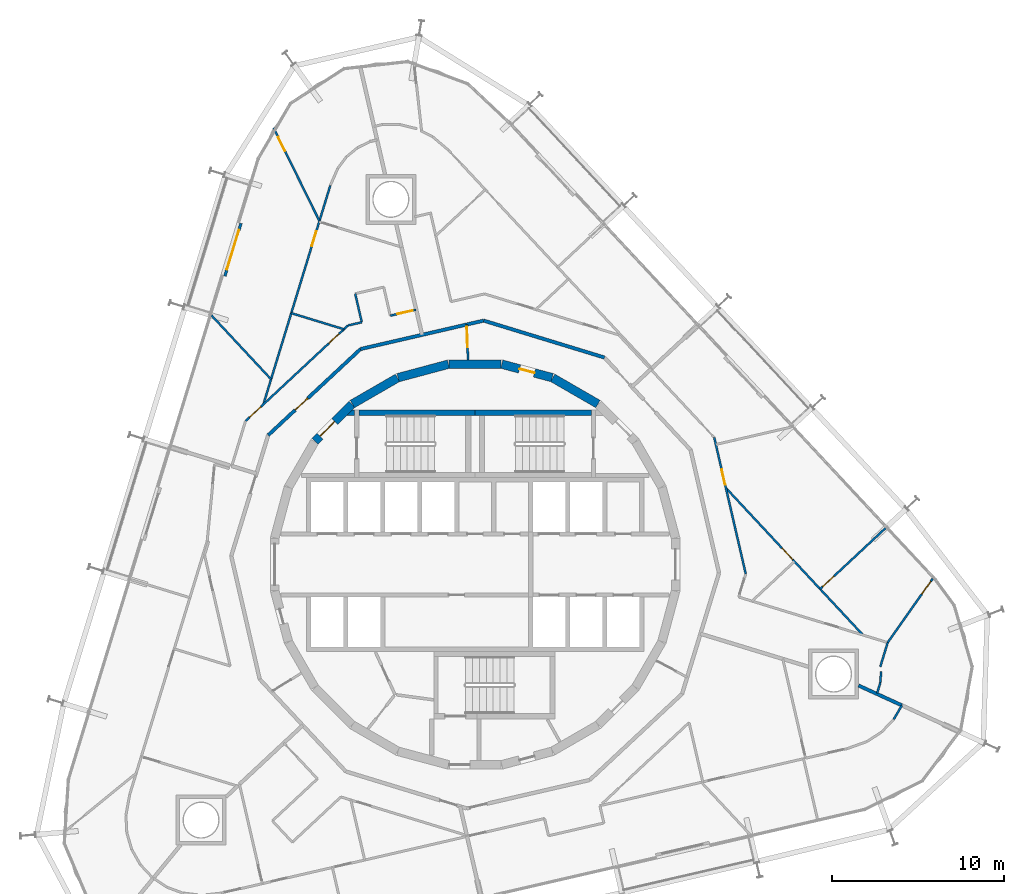
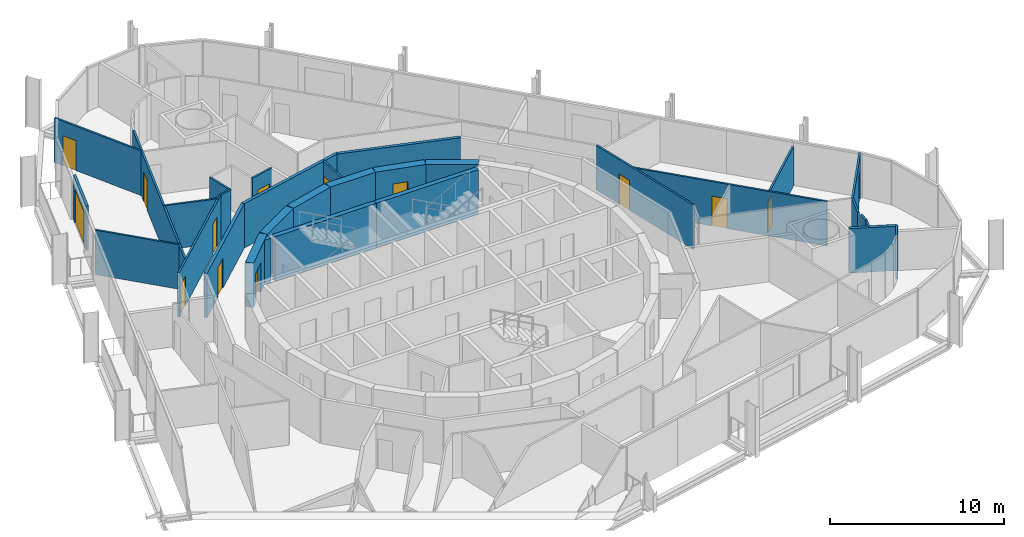
# One storey, part 15 of 18: 31 walls, 14 doors, 14 openings.
"""IFC4 building model written with IfcOpenShell, lengths in metres."""

from ifc_helpers import new_model, si_unit, direction, frame, frame_2d, origin, place, context, subcontext, project, spatial, polyline, rectangle, outline, extrude, material, layer, layer_set, type_object, element, fill, save


model = new_model("IFC4")

# Units and contexts
model_context = context("Model", 3, precision=1e-05, world=origin(), true_north=direction((0.0, 1.0)))
body_context = subcontext(model_context, "Body", "Model", "MODEL_VIEW")
ifc_project = project(units=[si_unit("LENGTHUNIT", "METRE"), si_unit("AREAUNIT", "SQUARE_METRE"), si_unit("VOLUMEUNIT", "CUBIC_METRE"), si_unit("PLANEANGLEUNIT", "RADIAN"), si_unit("MASSUNIT", "GRAM", prefix="KILO")], contexts=[model_context])

# Site, building, storey
site_placement = place(None, origin())
site = spatial("IfcSite", under=ifc_project, at=site_placement, CompositionType="ELEMENT")
building_placement = place(site_placement, origin())
building = spatial("IfcBuilding", under=site, at=building_placement, Name="Spindle Arch Residences", CompositionType="ELEMENT")
storey_placement = place(building_placement, frame((0.0, 0.0, 134.39990234375)))
storey = spatial("IfcBuildingStorey", under=building, at=storey_placement, Name="L33", CompositionType="ELEMENT", Elevation=134.39990234375)

# Wall
ifc_material_1 = material(Name="Concrete C50/60", Category="concrete")
ifc_layer_1 = layer(ifc_material_1, 0.5)
ifc_layer_set_1 = layer_set([ifc_layer_1], Name="Core outline wall 500")
wall_type_1 = type_object("IfcWallType", Name="Core outline wall 500", PredefinedType="SHEAR", material=ifc_layer_set_1)
wall_1_placement = place(storey_placement, frame((7.13671875, 9.32861328125, 0.0), z_axis=(0.0, 0.0, 1.0), x_axis=(-0.865975092491, 0.500087131594, 0.0)))
element("IfcWall", 1, at=wall_1_placement, inside=storey, type_object=wall_type_1, Name="Core outline wall 10", PredefinedType="SHEAR", context=body_context, shape_type="SweptSolid", body=[
    extrude(rectangle(XDim=3.03271484375, YDim=0.5, at=frame_2d((1.516357421875, 0.0))), origin(), (0.0, 0.0, 1.0), 3.1201171875),
])

# Wall, opening, door
wall_2_placement = place(storey_placement, frame((4.479248046875, 10.858154296875, 0.0), z_axis=(0.0, 0.0, 1.0), x_axis=(-0.965948410781, 0.258734743916, 0.0)))
wall_2 = element("IfcWall", 2, at=wall_2_placement, inside=storey, type_object=wall_type_1, Name="Core outline wall 11", PredefinedType="SHEAR", context=body_context, shape_type="SweptSolid", body=[
    extrude(rectangle(XDim=3.03271484375, YDim=0.5, at=frame_2d((1.516357421875, 0.0))), origin(), (0.0, 0.0, 1.0), 3.1201171875),
])
opening_1_placement = place(wall_2_placement, frame((1.066162109375, 0.0, 0.0)))
opening_1 = element("IfcOpeningElement", 3, at=opening_1_placement, cuts=wall_2, Name="Opening R3C0-WD10", PredefinedType="OPENING", context=body_context, shape_type="SweptSolid", body=[
    extrude(rectangle(XDim=0.89990234375, YDim=2.10009765625, at=frame_2d((0.449951171875, 1.050048828125))), frame((0.0, 0.260009765625, 0.0), z_axis=(0.0, -1.0, 0.0), x_axis=(1.0, 0.0, 0.0)), (0.0, 0.0, 1.0), 0.52001953125),
])
ifc_material_2 = material(Name="Steel, fire-resisting door", Category="steel")
door_type_1 = type_object("IfcDoorType", Name="Service room door 900x2100", OperationType="SINGLE_SWING_LEFT", PredefinedType="DOOR", material=ifc_material_2)
door_1_placement = place(opening_1_placement, origin())
door_1 = element("IfcDoor", 4, at=door_1_placement, inside=storey, type_object=door_type_1, Name="Service room door R3C0-WD10", OperationType="SINGLE_SWING_LEFT", OverallHeight=2.10009765625, OverallWidth=0.89990234375, PredefinedType="DOOR", context=body_context, shape_type="SweptSolid", body=[
    extrude(rectangle(XDim=0.89990234375, YDim=2.10009765625, at=frame_2d((0.449951171875, 1.050048828125))), frame((0.0, 0.02490234375, 0.0), z_axis=(0.0, -1.0, 0.0), x_axis=(1.0, 0.0, 0.0)), (0.0, 0.0, 1.0), 0.050048828125),
])
fill(opening_1, door_1)

# Walls
for number, where, z_axis, x_axis, name in (
    (5, (1.516357421875, 11.647216796875, 0.0), (0.0, 0.0, 1.0), (-1.0, 0.0, 0.0), "Core outline wall 12"),
    (6, (-1.5498046875, 11.642822265625, 0.0), (0.0, 0.0, 1.0), (-0.965948410781, -0.258734743916, 0.0), "Core outline wall 13"),
    (7, (-4.510498046875, 10.84521484375, 0.0), (0.0, 0.0, 1.0), (-0.865975092491, -0.500087131594, 0.0), "Core outline wall 14"),
):
    element("IfcWall", number, at=place(storey_placement, frame(where, z_axis=z_axis, x_axis=x_axis)), inside=storey, type_object=wall_type_1, Name=name, PredefinedType="SHEAR", context=body_context, shape_type="SweptSolid", body=[
        extrude(rectangle(XDim=3.03271484375, YDim=0.5, at=frame_2d((1.516357421875, 0.0))), origin(), (0.0, 0.0, 1.0), 3.1201171875),
    ])

# Wall, opening, door
wall_3_placement = place(storey_placement, frame((-7.163818359375, 9.30810546875, 0.0), z_axis=(0.0, 0.0, 1.0), x_axis=(-0.707106781187, -0.707106781187, 0.0)))
wall_3 = element("IfcWall", 8, at=wall_3_placement, inside=storey, type_object=wall_type_1, Name="Core outline wall 15", PredefinedType="SHEAR", context=body_context, shape_type="SweptSolid", body=[
    extrude(rectangle(XDim=3.032470703125, YDim=0.5, at=frame_2d((1.51611328125, 0.0))), origin(), (0.0, 0.0, 1.0), 3.1201171875),
])
opening_2_placement = place(wall_3_placement, frame((1.416259765625, 0.0, 0.0)))
opening_2 = element("IfcOpeningElement", 9, at=opening_2_placement, cuts=wall_3, Name="Opening R3C0-AD02", PredefinedType="OPENING", context=body_context, shape_type="SweptSolid", body=[
    extrude(rectangle(XDim=1.199951171875, YDim=2.10009765625, at=frame_2d((0.60009765625, 1.050048828125))), frame((0.0, 0.260009765625, 0.0), z_axis=(0.0, -1.0, 0.0), x_axis=(1.0, 0.0, 0.0)), (0.0, 0.0, 1.0), 0.52001953125),
])
ifc_material_3 = material(Name="Steel, fire-resisting door", Category="steel")
door_type_2 = type_object("IfcDoorType", Name="Stair airlock door 1200x2100", OperationType="SINGLE_SWING_LEFT", PredefinedType="DOOR", material=ifc_material_3)
door_2_placement = place(opening_2_placement, origin())
door_2 = element("IfcDoor", 10, at=door_2_placement, inside=storey, type_object=door_type_2, Name="Stair airlock door R3C0-AD02", OperationType="SINGLE_SWING_RIGHT", OverallHeight=2.10009765625, OverallWidth=1.199951171875, PredefinedType="DOOR", context=body_context, shape_type="SweptSolid", body=[
    extrude(rectangle(XDim=1.199951171875, YDim=2.10009765625, at=frame_2d((0.60009765625, 1.050048828125))), frame((0.0, 0.02490234375, 0.0), z_axis=(0.0, -1.0, 0.0), x_axis=(1.0, 0.0, 0.0)), (0.0, 0.0, 1.0), 0.050048828125),
])
fill(opening_2, door_2)

ifc_material_4 = material(Name="Plasterboard on steel studs", Category="steel")
ifc_layer_2 = layer(ifc_material_4, 0.1201171875)
ifc_layer_set_2 = layer_set([ifc_layer_2], Name="Corridor division wall 120")
wall_type_2 = type_object("IfcWallType", Name="Corridor division wall 120", PredefinedType="PARTITIONING", material=ifc_layer_set_2)
wall_4_placement = place(storey_placement, frame((-0.487060546875, 13.947998046875, 0.0), z_axis=(0.0, 0.0, 1.0), x_axis=(0.034859752231, -0.999392214135, 0.0)))
wall_4 = element("IfcWall", 11, at=wall_4_placement, inside=storey, type_object=wall_type_2, Name="Corridor division wall R3C0-W001", PredefinedType="PARTITIONING", context=body_context, shape_type="SweptSolid", body=[
    extrude(rectangle(XDim=2.052001953125, YDim=0.1201171875, at=frame_2d((1.02587890625, 0.0))), origin(), (0.0, 0.0, 1.0), 3.1201171875),
])
opening_3_placement = place(wall_4_placement, frame((0.125, 0.0, 0.0)))
opening_3 = element("IfcOpeningElement", 12, at=opening_3_placement, cuts=wall_4, Name="Opening R3C0-CD01", PredefinedType="OPENING", context=body_context, shape_type="SweptSolid", body=[
    extrude(rectangle(XDim=1.199951171875, YDim=2.10009765625, at=frame_2d((0.60009765625, 1.050048828125))), frame((0.0, 0.070068359375, 0.0), z_axis=(0.0, -1.0, 0.0), x_axis=(1.0, 0.0, 0.0)), (0.0, 0.0, 1.0), 0.14013671875),
])
ifc_material_5 = material(Name="Steel, fire-resisting door", Category="steel")
door_type_3 = type_object("IfcDoorType", Name="Corridor division door 1200x2100", OperationType="NOTDEFINED", PredefinedType="DOOR", material=ifc_material_5)
door_3_placement = place(opening_3_placement, origin())
door_3 = element("IfcDoor", 13, at=door_3_placement, inside=storey, type_object=door_type_3, Name="Corridor division door R3C0-CD01", OperationType="DOUBLE_DOOR_SINGLE_SWING", OverallHeight=2.10009765625, OverallWidth=1.199951171875, PredefinedType="DOOR", context=body_context, shape_type="SweptSolid", body=[
    extrude(rectangle(XDim=1.199951171875, YDim=2.10009765625, at=frame_2d((0.60009765625, 1.050048828125))), frame((0.0, 0.02490234375, 0.0), z_axis=(0.0, -1.0, 0.0), x_axis=(1.0, 0.0, 0.0)), (0.0, 0.0, 1.0), 0.050048828125),
])
fill(opening_3, door_3)

# Walls
ifc_material_6 = material(Name="Calcium silicate block, plastered")
ifc_layer_3 = layer(ifc_material_6, 0.199951171875)
ifc_layer_set_3 = layer_set([ifc_layer_3], Name="Corridor wall 200")
wall_type_3 = type_object("IfcWallType", Name="Corridor wall 200", PredefinedType="STANDARD", material=ifc_layer_set_3)
wall_5_placement = place(storey_placement, frame((7.51611328125, 12.028076171875, 0.0), z_axis=(0.0, 0.0, 1.0), x_axis=(-0.956306642771, 0.292365533182, 0.0)))
element("IfcWall", 14, at=wall_5_placement, inside=storey, type_object=wall_type_3, Name="Corridor wall R3C0-W007", PredefinedType="STANDARD", context=body_context, shape_type="SweptSolid", body=[
    extrude(rectangle(XDim=7.341796875, YDim=0.199951171875, at=frame_2d((3.6708984375, 0.0))), origin(), (0.0, 0.0, 1.0), 3.1201171875),
])
wall_6_placement = place(storey_placement, frame((0.4951171875, 14.174560546875, 0.0), z_axis=(0.0, 0.0, 1.0), x_axis=(-0.974376622151, -0.224922649383, 0.0)))
element("IfcWall", 15, at=wall_6_placement, inside=storey, type_object=wall_type_3, Name="Corridor wall R3C0-W008", PredefinedType="STANDARD", context=body_context, shape_type="SweptSolid", body=[
    extrude(rectangle(XDim=7.342041015625, YDim=0.199951171875, at=frame_2d((3.6708984375, 0.0))), origin(), (0.0, 0.0, 1.0), 3.1201171875),
])

# Wall, opening, door
wall_7_placement = place(storey_placement, frame((-6.65869140625, 12.523193359375, 0.0), z_axis=(0.0, 0.0, 1.0), x_axis=(-0.731350455479, -0.682001841105, 0.0)))
wall_7 = element("IfcWall", 16, at=wall_7_placement, inside=storey, type_object=wall_type_3, Name="Corridor wall R3C0-W009", PredefinedType="STANDARD", context=body_context, shape_type="SweptSolid", body=[
    extrude(rectangle(XDim=7.341796875, YDim=0.199951171875, at=frame_2d((3.6708984375, 0.0))), origin(), (0.0, 0.0, 1.0), 3.1201171875),
])
opening_4_placement = place(wall_7_placement, frame((4.199951171875, 0.0, 0.0)))
opening_4 = element("IfcOpeningElement", 17, at=opening_4_placement, cuts=wall_7, Name="Opening R3C0-FD03", PredefinedType="OPENING", context=body_context, shape_type="SweptSolid", body=[
    extrude(rectangle(XDim=1.0, YDim=2.10009765625, at=frame_2d((0.5, 1.050048828125))), frame((0.0, 0.10986328125, 0.0), z_axis=(0.0, -1.0, 0.0), x_axis=(1.0, 0.0, 0.0)), (0.0, 0.0, 1.0), 0.219970703125),
])
ifc_material_7 = material(Name="Timber, fire-resisting door set", Category="wood")
door_type_4 = type_object("IfcDoorType", Name="Flat entrance door 1000x2100", OperationType="NOTDEFINED", PredefinedType="DOOR", material=ifc_material_7)
door_4_placement = place(opening_4_placement, origin())
door_4 = element("IfcDoor", 18, at=door_4_placement, inside=storey, type_object=door_type_4, Name="Flat entrance door R3C0-FD03", OperationType="SINGLE_SWING_LEFT", OverallHeight=2.10009765625, OverallWidth=1.0, PredefinedType="DOOR", context=body_context, shape_type="SweptSolid", body=[
    extrude(rectangle(XDim=1.0, YDim=2.10009765625, at=frame_2d((0.5, 1.050048828125))), frame((0.0, 0.02490234375, 0.0), z_axis=(0.0, -1.0, 0.0), x_axis=(1.0, 0.0, 0.0)), (0.0, 0.0, 1.0), 0.050048828125),
])
fill(opening_4, door_4)

ifc_material_8 = material(Name="Plasterboard on steel studs", Category="steel")
ifc_layer_4 = layer(ifc_material_8, 0.1201171875)
ifc_layer_set_4 = layer_set([ifc_layer_4], Name="Flat partition 120")
wall_type_4 = type_object("IfcWallType", Name="Flat partition 120", PredefinedType="PARTITIONING", material=ifc_layer_set_4)
wall_8_placement = place(storey_placement, frame((15.7265625, -0.54931640625, 0.0), z_axis=(0.0, 0.0, 1.0), x_axis=(-0.22493611855, 0.974373512864, 0.0)))
wall_8 = element("IfcWall", 19, at=wall_8_placement, inside=storey, type_object=wall_type_4, Name="Flat partition R3C0-W033", PredefinedType="PARTITIONING", context=body_context, shape_type="SweptSolid", body=[
    extrude(rectangle(XDim=8.145751953125, YDim=0.1201171875, at=frame_2d((4.07275390625, 0.0))), origin(), (0.0, 0.0, 1.0), 3.1201171875),
])
opening_5_placement = place(wall_8_placement, frame((5.327392578125, 0.0, 0.0)))
opening_5 = element("IfcOpeningElement", 20, at=opening_5_placement, cuts=wall_8, Name="Opening R3C0-ID02", PredefinedType="OPENING", context=body_context, shape_type="SweptSolid", body=[
    extrude(rectangle(XDim=0.89990234375, YDim=2.10009765625, at=frame_2d((0.449951171875, 1.050048828125))), frame((0.0, 0.070068359375, 0.0), z_axis=(0.0, -1.0, 0.0), x_axis=(1.0, 0.0, 0.0)), (0.0, 0.0, 1.0), 0.14013671875),
])
ifc_material_9 = material(Name="Timber door set", Category="wood")
door_type_5 = type_object("IfcDoorType", Name="Room door 900x2100", OperationType="NOTDEFINED", PredefinedType="DOOR", material=ifc_material_9)
door_5_placement = place(opening_5_placement, origin())
door_5 = element("IfcDoor", 21, at=door_5_placement, inside=storey, type_object=door_type_5, Name="Room door R3C0-ID02", OperationType="SINGLE_SWING_LEFT", OverallHeight=2.10009765625, OverallWidth=0.89990234375, PredefinedType="DOOR", context=body_context, shape_type="SweptSolid", body=[
    extrude(rectangle(XDim=0.89990234375, YDim=2.10009765625, at=frame_2d((0.449951171875, 1.050048828125))), frame((0.0, 0.02490234375, 0.0), z_axis=(0.0, -1.0, 0.0), x_axis=(1.0, 0.0, 0.0)), (0.0, 0.0, 1.0), 0.050048828125),
])
fill(opening_5, door_5)

# Walls
for number, where, z_axis, x_axis, name in (
    (22, (23.362060546875, -7.47802734375, 0.0), (0.0, 0.0, 1.0), (0.292508434016, 0.956262942934, 0.0), "Flat partition R3C0-W035"),
    (23, (23.5498046875, -6.8642578125, 0.0), (0.0, 0.0, 1.0), (0.063893570381, 0.997956718332, 0.0), "Flat partition R3C0-W036"),
):
    element("IfcWall", number, at=place(storey_placement, frame(where, z_axis=z_axis, x_axis=x_axis)), inside=storey, type_object=wall_type_4, Name=name, PredefinedType="PARTITIONING", context=body_context, shape_type="SweptSolid", body=[
        extrude(rectangle(XDim=0.641845703125, YDim=0.1201171875, at=frame_2d((0.32080078125, 0.0))), origin(), (0.0, 0.0, 1.0), 3.1201171875),
    ])
wall_9_placement = place(storey_placement, frame((23.543701171875, -5.947509765625, 0.0), z_axis=(0.0, 0.0, 1.0), x_axis=(0.292386782861, 0.956300145983, 0.0)))
element("IfcWall", 24, at=wall_9_placement, inside=storey, type_object=wall_type_4, Name="Flat partition R3C0-W037", PredefinedType="PARTITIONING", context=body_context, shape_type="SweptSolid", body=[
    extrude(rectangle(XDim=1.474609375, YDim=0.1201171875, at=frame_2d((0.7373046875, 0.0))), origin(), (0.0, 0.0, 1.0), 3.1201171875),
])

# Wall, opening, door
wall_10_placement = place(storey_placement, frame((22.542724609375, -4.099609375, 0.0), z_axis=(0.0, 0.0, 1.0), x_axis=(-0.681980976228, 0.731369911921, 0.0)))
wall_10 = element("IfcWall", 25, at=wall_10_placement, inside=storey, type_object=wall_type_4, Name="Flat partition R3C0-W038", PredefinedType="PARTITIONING", context=body_context, shape_type="SweptSolid", body=[
    extrude(rectangle(XDim=11.685791015625, YDim=0.1201171875, at=frame_2d((5.8427734375, 0.0))), origin(), (0.0, 0.0, 1.0), 3.1201171875),
])
opening_6_placement = place(wall_10_placement, frame((6.002685546875, 0.0, 0.0)))
opening_6 = element("IfcOpeningElement", 26, at=opening_6_placement, cuts=wall_10, Name="Opening R3C0-ID06", PredefinedType="OPENING", context=body_context, shape_type="SweptSolid", body=[
    extrude(rectangle(XDim=0.89990234375, YDim=2.10009765625, at=frame_2d((0.449951171875, 1.050048828125))), frame((0.0, 0.070068359375, 0.0), z_axis=(0.0, -1.0, 0.0), x_axis=(1.0, 0.0, 0.0)), (0.0, 0.0, 1.0), 0.14013671875),
])
door_6_placement = place(opening_6_placement, origin())
door_6 = element("IfcDoor", 27, at=door_6_placement, inside=storey, type_object=door_type_5, Name="Room door R3C0-ID06", OperationType="SINGLE_SWING_RIGHT", OverallHeight=2.10009765625, OverallWidth=0.89990234375, PredefinedType="DOOR", context=body_context, shape_type="SweptSolid", body=[
    extrude(rectangle(XDim=0.89990234375, YDim=2.10009765625, at=frame_2d((0.449951171875, 1.050048828125))), frame((0.0, 0.02490234375, 0.0), z_axis=(0.0, -1.0, 0.0), x_axis=(1.0, 0.0, 0.0)), (0.0, 0.0, 1.0), 0.050048828125),
])
fill(opening_6, door_6)

wall_11_placement = place(storey_placement, frame((26.593017578125, -0.818115234375, 0.0), z_axis=(0.0, 0.0, 1.0), x_axis=(-0.575629018128, -0.817710971853, 0.0)))
wall_11 = element("IfcWall", 28, at=wall_11_placement, inside=storey, type_object=wall_type_4, Name="Flat partition R3C0-W042", PredefinedType="PARTITIONING", context=body_context, shape_type="SweptSolid", body=[
    extrude(rectangle(XDim=4.54833984375, YDim=0.1201171875, at=frame_2d((2.274169921875, 0.0))), origin(), (0.0, 0.0, 1.0), 3.1201171875),
])
opening_7_placement = place(wall_11_placement, frame((0.199951171875, 0.0, 0.0)))
opening_7 = element("IfcOpeningElement", 29, at=opening_7_placement, cuts=wall_11, Name="Opening R3C0-ID05", PredefinedType="OPENING", context=body_context, shape_type="SweptSolid", body=[
    extrude(rectangle(XDim=0.89990234375, YDim=2.10009765625, at=frame_2d((0.449951171875, 1.050048828125))), frame((0.0, 0.070068359375, 0.0), z_axis=(0.0, -1.0, 0.0), x_axis=(1.0, 0.0, 0.0)), (0.0, 0.0, 1.0), 0.14013671875),
])
door_7_placement = place(opening_7_placement, origin())
door_7 = element("IfcDoor", 30, at=door_7_placement, inside=storey, type_object=door_type_5, Name="Room door R3C0-ID05", OperationType="SINGLE_SWING_LEFT", OverallHeight=2.10009765625, OverallWidth=0.89990234375, PredefinedType="DOOR", context=body_context, shape_type="SweptSolid", body=[
    extrude(rectangle(XDim=0.89990234375, YDim=2.10009765625, at=frame_2d((0.449951171875, 1.050048828125))), frame((0.0, 0.02490234375, 0.0), z_axis=(0.0, -1.0, 0.0), x_axis=(1.0, 0.0, 0.0)), (0.0, 0.0, 1.0), 0.050048828125),
])
fill(opening_7, door_7)

wall_12_placement = place(storey_placement, frame((-3.439697265625, 14.8056640625, 0.0), z_axis=(0.0, 0.0, 1.0), x_axis=(-0.974356244071, -0.225010910046, 0.0)))
wall_12 = element("IfcWall", 31, at=wall_12_placement, inside=storey, type_object=wall_type_4, Name="Flat partition R3C0-W057", PredefinedType="PARTITIONING", context=body_context, shape_type="SweptSolid", body=[
    extrude(rectangle(XDim=1.531005859375, YDim=0.1201171875, at=frame_2d((0.765625, 0.0))), origin(), (0.0, 0.0, 1.0), 3.1201171875),
])
opening_8_placement = place(wall_12_placement, frame((0.199951171875, 0.0, 0.0)))
opening_8 = element("IfcOpeningElement", 32, at=opening_8_placement, cuts=wall_12, Name="Opening R3C0-ID13", PredefinedType="OPENING", context=body_context, shape_type="SweptSolid", body=[
    extrude(rectangle(XDim=0.89990234375, YDim=2.10009765625, at=frame_2d((0.449951171875, 1.050048828125))), frame((0.0, 0.070068359375, 0.0), z_axis=(0.0, -1.0, 0.0), x_axis=(1.0, 0.0, 0.0)), (0.0, 0.0, 1.0), 0.14013671875),
])
door_8_placement = place(opening_8_placement, origin())
door_8 = element("IfcDoor", 33, at=door_8_placement, inside=storey, type_object=door_type_5, Name="Room door R3C0-ID13", OperationType="SINGLE_SWING_LEFT", OverallHeight=2.10009765625, OverallWidth=0.89990234375, PredefinedType="DOOR", context=body_context, shape_type="SweptSolid", body=[
    extrude(rectangle(XDim=0.89990234375, YDim=2.10009765625, at=frame_2d((0.449951171875, 1.050048828125))), frame((0.0, 0.02490234375, 0.0), z_axis=(0.0, -1.0, 0.0), x_axis=(1.0, 0.0, 0.0)), (0.0, 0.0, 1.0), 0.050048828125),
])
fill(opening_8, door_8)

# Walls
wall_13_placement = place(storey_placement, frame((-6.971435546875, 15.740234375, 0.0), z_axis=(0.0, 0.0, 1.0), x_axis=(0.224943164347, -0.974371886301, 0.0)))
element("IfcWall", 34, at=wall_13_placement, inside=storey, type_object=wall_type_4, Name="Flat partition R3C0-W060", PredefinedType="PARTITIONING", context=body_context, shape_type="SweptSolid", body=[
    extrude(rectangle(XDim=1.705078125, YDim=0.1201171875, at=frame_2d((0.8525390625, 0.0))), origin(), (0.0, 0.0, 1.0), 3.1201171875),
])
wall_14_placement = place(storey_placement, frame((-6.587890625, 14.078857421875, 0.0), z_axis=(0.0, 0.0, 1.0), x_axis=(-0.974391195695, -0.224859506699, 0.0)))
element("IfcWall", 35, at=wall_14_placement, inside=storey, type_object=wall_type_4, Name="Flat partition R3C0-W061", PredefinedType="PARTITIONING", context=body_context, shape_type="SweptSolid", body=[
    extrude(rectangle(XDim=0.82080078125, YDim=0.1201171875, at=frame_2d((0.410400390625, 0.0))), origin(), (0.0, 0.0, 1.0), 3.1201171875),
])

# Wall, openings, doors
wall_15_placement = place(storey_placement, frame((-7.3876953125, 13.894287109375, 0.0), z_axis=(0.0, 0.0, 1.0), x_axis=(-0.731357186721, -0.681994622729, 0.0)))
wall_15 = element("IfcWall", 36, at=wall_15_placement, inside=storey, type_object=wall_type_4, Name="Flat partition R3C0-W062", PredefinedType="PARTITIONING", context=body_context, shape_type="SweptSolid", body=[
    extrude(rectangle(XDim=8.145751953125, YDim=0.1201171875, at=frame_2d((4.07275390625, 0.0))), origin(), (0.0, 0.0, 1.0), 3.1201171875),
])
opening_9_placement = place(wall_15_placement, frame((0.725341796875, 0.0, 0.0)))
opening_9 = element("IfcOpeningElement", 37, at=opening_9_placement, cuts=wall_15, Name="Opening R3C0-BD03", PredefinedType="OPENING", context=body_context, shape_type="SweptSolid", body=[
    extrude(rectangle(XDim=0.800048828125, YDim=2.10009765625, at=frame_2d((0.39990234375, 1.050048828125))), frame((0.0, 0.070068359375, 0.0), z_axis=(0.0, -1.0, 0.0), x_axis=(1.0, 0.0, 0.0)), (0.0, 0.0, 1.0), 0.14013671875),
])
opening_10_placement = place(wall_15_placement, frame((6.927490234375, 0.0, 0.0)))
opening_10 = element("IfcOpeningElement", 38, at=opening_10_placement, cuts=wall_15, Name="Opening R3C0-ID14", PredefinedType="OPENING", context=body_context, shape_type="SweptSolid", body=[
    extrude(rectangle(XDim=0.89990234375, YDim=2.10009765625, at=frame_2d((0.449951171875, 1.050048828125))), frame((0.0, 0.070068359375, 0.0), z_axis=(0.0, -1.0, 0.0), x_axis=(1.0, 0.0, 0.0)), (0.0, 0.0, 1.0), 0.14013671875),
])
ifc_material_10 = material(Name="Timber door set", Category="wood")
door_type_6 = type_object("IfcDoorType", Name="Bathroom door 800x2100", OperationType="NOTDEFINED", PredefinedType="DOOR", material=ifc_material_10)
door_9_placement = place(opening_9_placement, origin())
door_9 = element("IfcDoor", 39, at=door_9_placement, inside=storey, type_object=door_type_6, Name="Bathroom door R3C0-BD03", OperationType="SINGLE_SWING_LEFT", OverallHeight=2.10009765625, OverallWidth=0.800048828125, PredefinedType="DOOR", context=body_context, shape_type="SweptSolid", body=[
    extrude(rectangle(XDim=0.800048828125, YDim=2.10009765625, at=frame_2d((0.39990234375, 1.050048828125))), frame((0.0, 0.02490234375, 0.0), z_axis=(0.0, -1.0, 0.0), x_axis=(1.0, 0.0, 0.0)), (0.0, 0.0, 1.0), 0.050048828125),
])
fill(opening_9, door_9)
door_10_placement = place(opening_10_placement, origin())
door_10 = element("IfcDoor", 40, at=door_10_placement, inside=storey, type_object=door_type_5, Name="Room door R3C0-ID14", OperationType="SINGLE_SWING_LEFT", OverallHeight=2.10009765625, OverallWidth=0.89990234375, PredefinedType="DOOR", context=body_context, shape_type="SweptSolid", body=[
    extrude(rectangle(XDim=0.89990234375, YDim=2.10009765625, at=frame_2d((0.449951171875, 1.050048828125))), frame((0.0, 0.02490234375, 0.0), z_axis=(0.0, -1.0, 0.0), x_axis=(1.0, 0.0, 0.0)), (0.0, 0.0, 1.0), 0.050048828125),
])
fill(opening_10, door_10)

# Wall, opening, door
wall_16_placement = place(storey_placement, frame((-8.41748046875, 22.031005859375, 0.0), z_axis=(0.0, 0.0, 1.0), x_axis=(-0.292371891841, -0.956304698755, 0.0)))
wall_16 = element("IfcWall", 41, at=wall_16_placement, inside=storey, type_object=wall_type_4, Name="Flat partition R3C0-W069", PredefinedType="PARTITIONING", context=body_context, shape_type="SweptSolid", body=[
    extrude(rectangle(XDim=13.306396484375, YDim=0.1201171875, at=frame_2d((6.6533203125, 0.0))), origin(), (0.0, 0.0, 1.0), 3.1201171875),
])
opening_11_placement = place(wall_16_placement, frame((2.77734375, 0.0, 0.0)))
opening_11 = element("IfcOpeningElement", 42, at=opening_11_placement, cuts=wall_16, Name="Opening R3C0-ID16", PredefinedType="OPENING", context=body_context, shape_type="SweptSolid", body=[
    extrude(rectangle(XDim=0.89990234375, YDim=2.10009765625, at=frame_2d((0.449951171875, 1.050048828125))), frame((0.0, 0.070068359375, 0.0), z_axis=(0.0, -1.0, 0.0), x_axis=(1.0, 0.0, 0.0)), (0.0, 0.0, 1.0), 0.14013671875),
])
door_11_placement = place(opening_11_placement, origin())
door_11 = element("IfcDoor", 43, at=door_11_placement, inside=storey, type_object=door_type_5, Name="Room door R3C0-ID16", OperationType="SINGLE_SWING_LEFT", OverallHeight=2.10009765625, OverallWidth=0.89990234375, PredefinedType="DOOR", context=body_context, shape_type="SweptSolid", body=[
    extrude(rectangle(XDim=0.89990234375, YDim=2.10009765625, at=frame_2d((0.449951171875, 1.050048828125))), frame((0.0, 0.02490234375, 0.0), z_axis=(0.0, -1.0, 0.0), x_axis=(1.0, 0.0, 0.0)), (0.0, 0.0, 1.0), 0.050048828125),
])
fill(opening_11, door_11)

wall_17_placement = place(storey_placement, frame((-11.71630859375, 25.381103515625, 0.0), z_axis=(0.0, 0.0, 1.0), x_axis=(0.441576881221, -0.897223415862, 0.0)))
wall_17 = element("IfcWall", 44, at=wall_17_placement, inside=storey, type_object=wall_type_4, Name="Flat partition R3C0-W071", PredefinedType="PARTITIONING", context=body_context, shape_type="SweptSolid", body=[
    extrude(rectangle(XDim=6.03857421875, YDim=0.1201171875, at=frame_2d((3.019287109375, 0.0))), origin(), (0.0, 0.0, 1.0), 3.1201171875),
])
opening_12_placement = place(wall_17_placement, frame((0.60009765625, 0.0, 0.0)))
opening_12 = element("IfcOpeningElement", 45, at=opening_12_placement, cuts=wall_17, Name="Opening R3C0-ID17", PredefinedType="OPENING", context=body_context, shape_type="SweptSolid", body=[
    extrude(rectangle(XDim=0.89990234375, YDim=2.10009765625, at=frame_2d((0.449951171875, 1.050048828125))), frame((0.0, 0.070068359375, 0.0), z_axis=(0.0, -1.0, 0.0), x_axis=(1.0, 0.0, 0.0)), (0.0, 0.0, 1.0), 0.14013671875),
])
door_12_placement = place(opening_12_placement, origin())
door_12 = element("IfcDoor", 46, at=door_12_placement, inside=storey, type_object=door_type_5, Name="Room door R3C0-ID17", OperationType="SINGLE_SWING_LEFT", OverallHeight=2.10009765625, OverallWidth=0.89990234375, PredefinedType="DOOR", context=body_context, shape_type="SweptSolid", body=[
    extrude(rectangle(XDim=0.89990234375, YDim=2.10009765625, at=frame_2d((0.449951171875, 1.050048828125))), frame((0.0, 0.02490234375, 0.0), z_axis=(0.0, -1.0, 0.0), x_axis=(1.0, 0.0, 0.0)), (0.0, 0.0, 1.0), 0.050048828125),
])
fill(opening_12, door_12)

# Walls
wall_18_placement = place(storey_placement, frame((-10.686767578125, 14.6083984375, 0.0), z_axis=(0.0, 0.0, 1.0), x_axis=(0.956295309419, -0.292402601189, 0.0)))
element("IfcWall", 47, at=wall_18_placement, inside=storey, type_object=wall_type_4, Name="Flat partition R3C0-W072", PredefinedType="PARTITIONING", context=body_context, shape_type="SweptSolid", body=[
    extrude(rectangle(XDim=3.201171875, YDim=0.1201171875, at=frame_2d((1.6005859375, 0.0))), origin(), (0.0, 0.0, 1.0), 3.1201171875),
])
wall_19_placement = place(storey_placement, frame((-15.32666015625, 14.481201171875, 0.0), z_axis=(0.0, 0.0, 1.0), x_axis=(0.68197575128, -0.731374783997, 0.0)))
element("IfcWall", 48, at=wall_19_placement, inside=storey, type_object=wall_type_4, Name="Flat partition R3C0-W073", PredefinedType="PARTITIONING", context=body_context, shape_type="SweptSolid", body=[
    extrude(rectangle(XDim=5.08056640625, YDim=0.1201171875, at=frame_2d((2.540283203125, 0.0))), origin(), (0.0, 0.0, 1.0), 3.1201171875),
])
wall_20_placement = place(storey_placement, frame((24.8017578125, -8.18603515625, 0.0), z_axis=(0.0, 0.0, 1.0), x_axis=(-0.505043103481, -0.863094122113, 0.0)))
element("IfcWall", 49, at=wall_20_placement, inside=storey, type_object=wall_type_4, Name="Flat partition R3C0-W111", PredefinedType="PARTITIONING", context=body_context, shape_type="SweptSolid", body=[
    extrude(rectangle(XDim=0.945068359375, YDim=0.1201171875, at=frame_2d((0.47265625, 0.0))), origin(), (0.0, 0.0, 1.0), 3.1201171875),
])

# Wall, opening, door
ifc_material_11 = material(Name="Plasterboard on steel studs", Category="steel")
ifc_layer_5 = layer(ifc_material_11, 0.1201171875)
ifc_layer_set_5 = layer_set([ifc_layer_5], Name="Flat partition 120 under beam 2730")
wall_type_5 = type_object("IfcWallType", Name="Flat partition 120 under beam 2730", PredefinedType="PARTITIONING", material=ifc_layer_set_5)
wall_21_placement = place(storey_placement, frame((20.052001953125, -1.428466796875, 0.0), z_axis=(0.0, 0.0, 1.0), x_axis=(0.73134872518, 0.682003696601, 0.0)))
wall_21 = element("IfcWall", 50, at=wall_21_placement, inside=storey, type_object=wall_type_5, Name="Flat partition R3C0-W041", PredefinedType="PARTITIONING", context=body_context, shape_type="SweptSolid", body=[
    extrude(rectangle(XDim=5.199951171875, YDim=0.1201171875, at=frame_2d((2.60009765625, 0.0))), origin(), (0.0, 0.0, 1.0), 2.72998046875),
])
opening_13_placement = place(wall_21_placement, frame((0.199951171875, 0.0, 0.0)))
opening_13 = element("IfcOpeningElement", 51, at=opening_13_placement, cuts=wall_21, Name="Opening R3C0-ID04", PredefinedType="OPENING", context=body_context, shape_type="SweptSolid", body=[
    extrude(rectangle(XDim=0.89990234375, YDim=2.10009765625, at=frame_2d((0.449951171875, 1.050048828125))), frame((0.0, 0.070068359375, 0.0), z_axis=(0.0, -1.0, 0.0), x_axis=(1.0, 0.0, 0.0)), (0.0, 0.0, 1.0), 0.14013671875),
])
door_13_placement = place(opening_13_placement, origin())
door_13 = element("IfcDoor", 52, at=door_13_placement, inside=storey, type_object=door_type_5, Name="Room door R3C0-ID04", OperationType="SINGLE_SWING_LEFT", OverallHeight=2.10009765625, OverallWidth=0.89990234375, PredefinedType="DOOR", context=body_context, shape_type="SweptSolid", body=[
    extrude(rectangle(XDim=0.89990234375, YDim=2.10009765625, at=frame_2d((0.449951171875, 1.050048828125))), frame((0.0, 0.02490234375, 0.0), z_axis=(0.0, -1.0, 0.0), x_axis=(1.0, 0.0, 0.0)), (0.0, 0.0, 1.0), 0.050048828125),
])
fill(opening_13, door_13)

# Wall
ifc_material_12 = material(Name="Calcium silicate block, plastered")
ifc_layer_6 = layer(ifc_material_12, 0.199951171875)
ifc_layer_set_6 = layer_set([ifc_layer_6], Name="Flat party wall 200")
wall_type_6 = type_object("IfcWallType", Name="Flat party wall 200", PredefinedType="STANDARD", material=ifc_layer_set_6)
wall_22_placement = place(storey_placement, frame((22.280029296875, -7.031982421875, 0.0), z_axis=(0.0, 0.0, 1.0), x_axis=(0.909302252994, -0.416136291016, 0.0)))
element("IfcWall", 53, at=wall_22_placement, inside=storey, type_object=wall_type_6, Name="Flat party wall R3C0-W018", PredefinedType="STANDARD", context=body_context, shape_type="SweptSolid", body=[
    extrude(rectangle(XDim=2.773193359375, YDim=0.199951171875, at=frame_2d((1.38671875, 0.0))), origin(), (0.0, 0.0, 1.0), 3.1201171875),
])

# Wall, opening, door
ifc_material_13 = material(Name="Non-combustible mineral wool insulated aluminium faced external wall (K0)", Category="aluminium")
ifc_layer_7 = layer(ifc_material_13, 0.159912109375)
ifc_layer_set_7 = layer_set([ifc_layer_7], Name="Insulated external wall panel 160")
wall_type_7 = type_object("IfcWallType", Name="Insulated external wall panel 160", PredefinedType="STANDARD", material=ifc_layer_set_7)
wall_23_placement = place(storey_placement, frame((-13.608642578125, 19.8271484375, 0.0), z_axis=(0.0, 0.0, 1.0), x_axis=(-0.292348395078, -0.956311882126, 0.0)))
wall_23 = element("IfcWall", 54, at=wall_23_placement, inside=storey, type_object=wall_type_7, Name="External wall L33 bay 13", PredefinedType="STANDARD", context=body_context, shape_type="SweptSolid", body=[
    extrude(rectangle(XDim=3.2001953125, YDim=0.159912109375, at=frame_2d((1.60009765625, 0.0))), origin(), (0.0, 0.0, 1.0), 3.1201171875),
])
opening_14_placement = place(wall_23_placement, frame((0.39990234375, 0.0, 0.0)))
opening_14 = element("IfcOpeningElement", 55, at=opening_14_placement, cuts=wall_23, Name="Opening BD13", PredefinedType="OPENING", context=body_context, shape_type="SweptSolid", body=[
    extrude(rectangle(XDim=2.39990234375, YDim=2.39990234375, at=frame_2d((1.199951171875, 1.199951171875))), frame((0.0, 0.08984375, 0.0), z_axis=(0.0, -1.0, 0.0), x_axis=(1.0, 0.0, 0.0)), (0.0, 0.0, 1.0), 0.179931640625),
])
ifc_material_14 = material(Name="Bronze aluminium frame, tinted double glazing", Category="aluminium")
door_type_7 = type_object("IfcDoorType", Name="Sliding glazed balcony door 2400x2400", OperationType="DOUBLE_DOOR_SLIDING", PredefinedType="DOOR", material=ifc_material_14)
door_14_placement = place(opening_14_placement, origin())
door_14 = element("IfcDoor", 56, at=door_14_placement, inside=storey, type_object=door_type_7, Name="Balcony door BD13", OperationType="DOUBLE_DOOR_SLIDING", OverallHeight=2.39990234375, OverallWidth=2.39990234375, PredefinedType="DOOR", context=body_context, shape_type="SweptSolid", body=[
    extrude(rectangle(XDim=2.39990234375, YDim=2.39990234375, at=frame_2d((1.199951171875, 1.199951171875))), frame((0.0, 0.02490234375, 0.0), z_axis=(0.0, -1.0, 0.0), x_axis=(1.0, 0.0, 0.0)), (0.0, 0.0, 1.0), 0.050048828125),
])
fill(opening_14, door_14)

# Walls
ifc_material_15 = material(Name="Concrete C40/50", Category="concrete")
wall_type_8 = type_object("IfcWallType", Name="Stair airlock wall profile", PredefinedType="SHEAR", material=ifc_material_15)
wall_24_placement = place(storey_placement, origin())
element("IfcWall", 57, at=wall_24_placement, inside=storey, type_object=wall_type_8, Name="Stair ST-2 airlock wall N", PredefinedType="SHEAR", context=body_context, shape_type="SweptSolid", body=[
    extrude(outline(polyline([(-7.148193359375, 8.969970703125), (-7.0, 8.969970703125), (-7.0, 8.669921875), (-7.4482421875, 8.669921875), (-7.148193359375, 8.969970703125)])), origin(), (0.0, 0.0, 1.0), 3.1201171875),
])
ifc_material_16 = material(Name="Concrete C50/60", Category="concrete")
ifc_layer_8 = layer(ifc_material_16, 0.300048828125)
ifc_layer_set_8 = layer_set([ifc_layer_8], Name="Stair enclosure wall 300")
wall_type_9 = type_object("IfcWallType", Name="Stair enclosure wall 300", PredefinedType="SHEAR", material=ifc_layer_set_8)
for number, where, z_axis, x_axis, name in (
    (58, (0.0, 8.820068359375, 0.0), (0.0, 0.0, 1.0), (1.0, 0.0, 0.0), "Stair ST-1 enclosure wall N"),
    (59, (-6.75, 8.820068359375, 0.0), (0.0, 0.0, 1.0), (1.0, 0.0, 0.0), "Stair ST-2 enclosure wall N"),
):
    element("IfcWall", number, at=place(storey_placement, frame(where, z_axis=z_axis, x_axis=x_axis)), inside=storey, type_object=wall_type_9, Name=name, PredefinedType="SHEAR", context=body_context, shape_type="SweptSolid", body=[
        extrude(rectangle(XDim=6.75, YDim=0.300048828125, at=frame_2d((3.375, 0.0))), origin(), (0.0, 0.0, 1.0), 3.1201171875),
    ])

save(model, "model.ifc")
